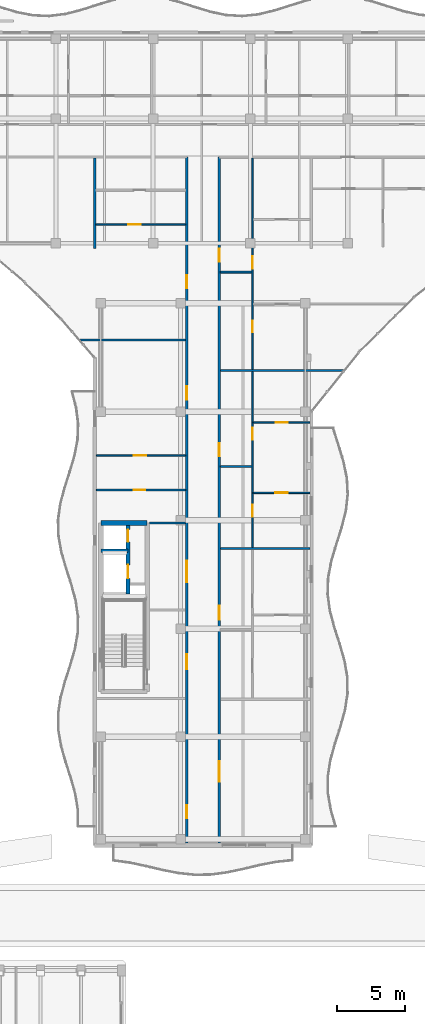
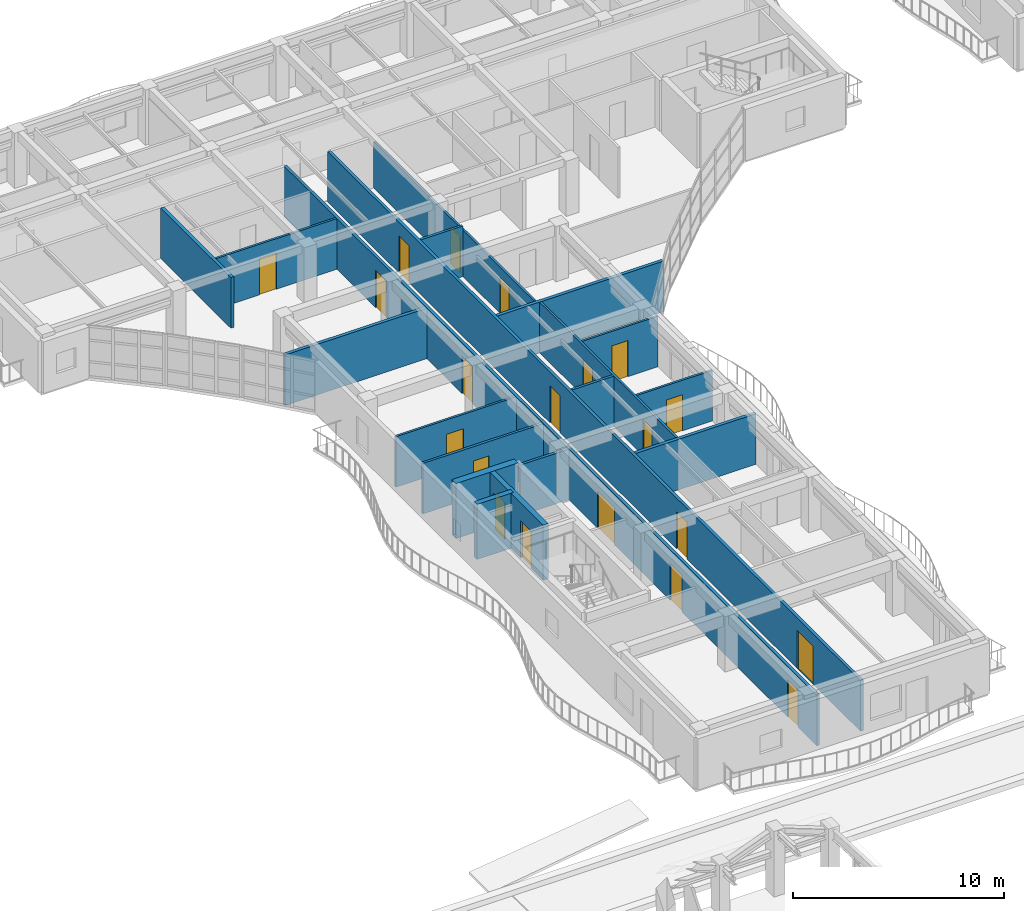
# One storey, part 92 of 128: 20 doors, 19 walls, 20 openings.
"""IFC4 building model written with IfcOpenShell, lengths in metres."""

from ifc_helpers import new_model, si_unit, direction, frame, frame_2d, origin, place, context, subcontext, project, spatial, rectangle, extrude, material, layer, layer_set, type_object, element, fill, save


model = new_model("IFC4")

# Units and contexts
model_context = context("Model", 3, precision=1e-05, world=origin(), true_north=direction((0.0, 1.0)))
body_context = subcontext(model_context, "Body", "Model", "MODEL_VIEW")
ifc_project = project(units=[si_unit("LENGTHUNIT", "METRE"), si_unit("AREAUNIT", "SQUARE_METRE"), si_unit("VOLUMEUNIT", "CUBIC_METRE"), si_unit("PLANEANGLEUNIT", "RADIAN"), si_unit("MASSUNIT", "GRAM", prefix="KILO")], contexts=[model_context])

# Site, building, storey
site_placement = place(None, origin())
site = spatial("IfcSite", under=ifc_project, at=site_placement, CompositionType="ELEMENT")
building_placement = place(site_placement, origin())
building = spatial("IfcBuilding", under=site, at=building_placement, Name="Keldmere Railside Commons", CompositionType="ELEMENT")
storey_placement = place(building_placement, frame((0.0, 0.0, 4.159912109375)))
storey = spatial("IfcBuildingStorey", under=building, at=storey_placement, Name="L01", CompositionType="ELEMENT", Elevation=4.159912109375)

# Walls
ifc_material_1 = material(Name="Acoustic Gypsum Board Partition", Category="gypsum")
ifc_layer_1 = layer(ifc_material_1, 0.179931640625, Name="Acoustic Demising Partition 180")
ifc_layer_set_1 = layer_set([ifc_layer_1], Name="Acoustic Gypsum Board Partition")
wall_type_1 = type_object("IfcWallType", Name="Acoustic Demising Partition 180", PredefinedType="PARTITIONING", material=ifc_layer_set_1)
wall_1_placement = place(storey_placement, frame((104.0, 100.050048828125, 0.0), z_axis=(0.0, 0.0, 1.0), x_axis=(0.0, 1.0, 0.0)))
element("IfcWall", 1, at=wall_1_placement, inside=storey, type_object=wall_type_1, Name="IW-1 IW-L01-0926", PredefinedType="PARTITIONING", context=body_context, shape_type="SweptSolid", body=[
    extrude(rectangle(XDim=6.669921875, YDim=0.179931640625, at=frame_2d((3.3349609375, 0.0))), origin(), (0.0, 0.0, 1.0), 2.93505859375),
])
wall_2_placement = place(storey_placement, frame((113.280029296875, 77.909912109375, 0.0), z_axis=(0.0, 0.0, 1.0), x_axis=(1.0, 0.0, 0.0)))
element("IfcWall", 2, at=wall_2_placement, inside=storey, type_object=wall_type_1, Name="IW-1 IW-L01-0930", PredefinedType="PARTITIONING", context=body_context, shape_type="SweptSolid", body=[
    extrude(rectangle(XDim=6.599853515625, YDim=0.179931640625, at=frame_2d((3.2998046875, 0.0))), origin(), (0.0, 0.0, 1.0), 2.93505859375),
])
wall_3_placement = place(storey_placement, frame((113.280029296875, 91.050048828125, 0.0), z_axis=(0.0, 0.0, 1.0), x_axis=(1.0, 0.0, 0.0)))
element("IfcWall", 3, at=wall_3_placement, inside=storey, type_object=wall_type_1, Name="IW-1 IW-L01-0931", PredefinedType="PARTITIONING", context=body_context, shape_type="SweptSolid", body=[
    extrude(rectangle(XDim=9.115478515625, YDim=0.179931640625, at=frame_2d((4.5576171875, 0.0))), origin(), (0.0, 0.0, 1.0), 2.93505859375),
])
wall_4_placement = place(storey_placement, frame((102.929443359375, 93.300048828125, 0.0), z_axis=(0.0, 0.0, 1.0), x_axis=(1.0, 0.0, 0.0)))
element("IfcWall", 4, at=wall_4_placement, inside=storey, type_object=wall_type_1, Name="IW-1 IW-L01-0957", PredefinedType="PARTITIONING", context=body_context, shape_type="SweptSolid", body=[
    extrude(rectangle(XDim=7.79052734375, YDim=0.179931640625, at=frame_2d((3.895263671875, 0.0))), origin(), (0.0, 0.0, 1.0), 2.93505859375),
])

# Wall, openings, doors
ifc_layer_2 = layer(ifc_material_1, 0.1201171875, Name="Apartment Interior Partition 120")
ifc_layer_set_2 = layer_set([ifc_layer_2], Name="Acoustic Gypsum Board Partition")
wall_type_2 = type_object("IfcWallType", Name="Apartment Interior Partition 120", PredefinedType="PARTITIONING", material=ifc_layer_set_2)
wall_5_placement = place(storey_placement, frame((115.659912109375, 78.0, 0.0), z_axis=(0.0, 0.0, 1.0), x_axis=(0.0, 1.0, 0.0)))
wall_5 = element("IfcWall", 5, at=wall_5_placement, inside=storey, type_object=wall_type_2, Name="IW-4 IW-L01-0935", PredefinedType="PARTITIONING", context=body_context, shape_type="SweptSolid", body=[
    extrude(rectangle(XDim=12.9599609375, YDim=0.1201171875, at=frame_2d((6.47998046875, 0.0))), origin(), (0.0, 0.0, 1.0), 2.93505859375),
])
opening_1_placement = place(wall_5_placement, frame((2.264892578125, 0.0, 0.0)))
opening_1 = element("IfcOpeningElement", 6, at=opening_1_placement, cuts=wall_5, Name="Opening ID-04", PredefinedType="OPENING", context=body_context, shape_type="SweptSolid", body=[
    extrude(rectangle(XDim=0.860107421875, YDim=2.10009765625, at=frame_2d((0.43017578125, 1.050048828125))), frame((0.0, 0.070068359375, 0.0), z_axis=(0.0, -1.0, 0.0), x_axis=(1.0, 0.0, 0.0)), (0.0, 0.0, 1.0), 0.14013671875),
])
opening_2_placement = place(wall_5_placement, frame((7.919921875, 0.0, 0.0)))
opening_2 = element("IfcOpeningElement", 7, at=opening_2_placement, cuts=wall_5, Name="Opening ID-03", PredefinedType="OPENING", context=body_context, shape_type="SweptSolid", body=[
    extrude(rectangle(XDim=0.919921875, YDim=2.10009765625, at=frame_2d((0.4599609375, 1.050048828125))), frame((0.0, 0.070068359375, 0.0), z_axis=(0.0, -1.0, 0.0), x_axis=(1.0, 0.0, 0.0)), (0.0, 0.0, 1.0), 0.14013671875),
])
ifc_material_2 = material(Name="Engineered Oak Timber", Category="wood")
door_type_1 = type_object("IfcDoorType", Name="Apartment Bathroom Door 860x2100", OperationType="NOTDEFINED", PredefinedType="DOOR", material=ifc_material_2)
door_1_placement = place(opening_1_placement, origin())
door_1 = element("IfcDoor", 8, at=door_1_placement, inside=storey, type_object=door_type_1, Name="ID-04 IDR-L01-0804", OperationType="SINGLE_SWING_RIGHT", OverallHeight=2.10009765625, OverallWidth=0.860107421875, PredefinedType="DOOR", context=body_context, shape_type="SweptSolid", body=[
    extrude(rectangle(XDim=0.860107421875, YDim=2.10009765625, at=frame_2d((0.43017578125, 1.050048828125))), frame((0.0, 0.02490234375, 0.0), z_axis=(0.0, -1.0, 0.0), x_axis=(1.0, 0.0, 0.0)), (0.0, 0.0, 1.0), 0.050048828125),
])
fill(opening_1, door_1)
door_type_2 = type_object("IfcDoorType", Name="Kitchen Pocket-Frame Swing Door 920x2100", OperationType="NOTDEFINED", PredefinedType="DOOR", material=ifc_material_2)
door_2_placement = place(opening_2_placement, origin())
door_2 = element("IfcDoor", 9, at=door_2_placement, inside=storey, type_object=door_type_2, Name="ID-03 IDR-L01-0805", OperationType="SINGLE_SWING_LEFT", OverallHeight=2.10009765625, OverallWidth=0.919921875, PredefinedType="DOOR", context=body_context, shape_type="SweptSolid", body=[
    extrude(rectangle(XDim=0.919921875, YDim=2.10009765625, at=frame_2d((0.4599609375, 1.050048828125))), frame((0.0, 0.02490234375, 0.0), z_axis=(0.0, -1.0, 0.0), x_axis=(1.0, 0.0, 0.0)), (0.0, 0.0, 1.0), 0.050048828125),
])
fill(opening_2, door_2)

# Wall, opening, door
wall_6_placement = place(storey_placement, frame((115.719970703125, 82.02001953125, 0.0), z_axis=(0.0, 0.0, 1.0), x_axis=(1.0, 0.0, 0.0)))
wall_6 = element("IfcWall", 10, at=wall_6_placement, inside=storey, type_object=wall_type_2, Name="IW-4 IW-L01-0937", PredefinedType="PARTITIONING", context=body_context, shape_type="SweptSolid", body=[
    extrude(rectangle(XDim=4.159912109375, YDim=0.1201171875, at=frame_2d((2.080078125, 0.0))), origin(), (0.0, 0.0, 1.0), 2.93505859375),
])
opening_3_placement = place(wall_6_placement, frame((1.6298828125, 0.0, 0.0)))
opening_3 = element("IfcOpeningElement", 11, at=opening_3_placement, cuts=wall_6, Name="Opening ID-01", PredefinedType="OPENING", context=body_context, shape_type="SweptSolid", body=[
    extrude(rectangle(XDim=0.89990234375, YDim=2.10009765625, at=frame_2d((0.449951171875, 1.050048828125))), frame((0.0, 0.070068359375, 0.0), z_axis=(0.0, -1.0, 0.0), x_axis=(1.0, 0.0, 0.0)), (0.0, 0.0, 1.0), 0.14013671875),
])
door_type_3 = type_object("IfcDoorType", Name="Primary Bedroom Door 900x2100", OperationType="NOTDEFINED", PredefinedType="DOOR", material=ifc_material_2)
door_3_placement = place(opening_3_placement, origin())
door_3 = element("IfcDoor", 12, at=door_3_placement, inside=storey, type_object=door_type_3, Name="ID-01 IDR-L01-0807", OperationType="SINGLE_SWING_LEFT", OverallHeight=2.10009765625, OverallWidth=0.89990234375, PredefinedType="DOOR", context=body_context, shape_type="SweptSolid", body=[
    extrude(rectangle(XDim=0.89990234375, YDim=2.10009765625, at=frame_2d((0.449951171875, 1.050048828125))), frame((0.0, 0.02490234375, 0.0), z_axis=(0.0, -1.0, 0.0), x_axis=(1.0, 0.0, 0.0)), (0.0, 0.0, 1.0), 0.050048828125),
])
fill(opening_3, door_3)

wall_7_placement = place(storey_placement, frame((115.719970703125, 87.199951171875, 0.0), z_axis=(0.0, 0.0, 1.0), x_axis=(1.0, 0.0, 0.0)))
wall_7 = element("IfcWall", 13, at=wall_7_placement, inside=storey, type_object=wall_type_2, Name="IW-4 IW-L01-0938", PredefinedType="PARTITIONING", context=body_context, shape_type="SweptSolid", body=[
    extrude(rectangle(XDim=4.159912109375, YDim=0.1201171875, at=frame_2d((2.080078125, 0.0))), origin(), (0.0, 0.0, 1.0), 2.93505859375),
])
opening_4_placement = place(wall_7_placement, frame((1.639892578125, 0.0, 0.0)))
opening_4 = element("IfcOpeningElement", 14, at=opening_4_placement, cuts=wall_7, Name="Opening ID-02", PredefinedType="OPENING", context=body_context, shape_type="SweptSolid", body=[
    extrude(rectangle(XDim=0.8798828125, YDim=2.10009765625, at=frame_2d((0.43994140625, 1.050048828125))), frame((0.0, 0.070068359375, 0.0), z_axis=(0.0, -1.0, 0.0), x_axis=(1.0, 0.0, 0.0)), (0.0, 0.0, 1.0), 0.14013671875),
])
door_type_4 = type_object("IfcDoorType", Name="Secondary Bedroom Door 880x2100", OperationType="NOTDEFINED", PredefinedType="DOOR", material=ifc_material_2)
door_4_placement = place(opening_4_placement, origin())
door_4 = element("IfcDoor", 15, at=door_4_placement, inside=storey, type_object=door_type_4, Name="ID-02 IDR-L01-0808", OperationType="SINGLE_SWING_RIGHT", OverallHeight=2.10009765625, OverallWidth=0.8798828125, PredefinedType="DOOR", context=body_context, shape_type="SweptSolid", body=[
    extrude(rectangle(XDim=0.8798828125, YDim=2.10009765625, at=frame_2d((0.43994140625, 1.050048828125))), frame((0.0, 0.02490234375, 0.0), z_axis=(0.0, -1.0, 0.0), x_axis=(1.0, 0.0, 0.0)), (0.0, 0.0, 1.0), 0.050048828125),
])
fill(opening_4, door_4)

# Wall, openings, doors
wall_8_placement = place(storey_placement, frame((115.659912109375, 91.139892578125, 0.0), z_axis=(0.0, 0.0, 1.0), x_axis=(0.0, 1.0, 0.0)))
wall_8 = element("IfcWall", 16, at=wall_8_placement, inside=storey, type_object=wall_type_2, Name="IW-4 IW-L01-0939", PredefinedType="PARTITIONING", context=body_context, shape_type="SweptSolid", body=[
    extrude(rectangle(XDim=15.580078125, YDim=0.1201171875, at=frame_2d((7.7900390625, 0.0))), origin(), (0.0, 0.0, 1.0), 2.68017578125),
])
opening_5_placement = place(wall_8_placement, frame((2.724609375, 0.0, 0.0)))
opening_5 = element("IfcOpeningElement", 17, at=opening_5_placement, cuts=wall_8, Name="Opening ID-04", PredefinedType="OPENING", context=body_context, shape_type="SweptSolid", body=[
    extrude(rectangle(XDim=0.860107421875, YDim=2.10009765625, at=frame_2d((0.43017578125, 1.050048828125))), frame((0.0, 0.070068359375, 0.0), z_axis=(0.0, -1.0, 0.0), x_axis=(1.0, 0.0, 0.0)), (0.0, 0.0, 1.0), 0.14013671875),
])
opening_6_placement = place(wall_8_placement, frame((7.4248046875, 0.0, 0.0)))
opening_6 = element("IfcOpeningElement", 18, at=opening_6_placement, cuts=wall_8, Name="Opening ID-03", PredefinedType="OPENING", context=body_context, shape_type="SweptSolid", body=[
    extrude(rectangle(XDim=0.919921875, YDim=2.10009765625, at=frame_2d((0.4599609375, 1.050048828125))), frame((0.0, 0.070068359375, 0.0), z_axis=(0.0, -1.0, 0.0), x_axis=(1.0, 0.0, 0.0)), (0.0, 0.0, 1.0), 0.14013671875),
])
door_5_placement = place(opening_5_placement, origin())
door_5 = element("IfcDoor", 19, at=door_5_placement, inside=storey, type_object=door_type_1, Name="ID-04 IDR-L01-0809", OperationType="SINGLE_SWING_LEFT", OverallHeight=2.10009765625, OverallWidth=0.860107421875, PredefinedType="DOOR", context=body_context, shape_type="SweptSolid", body=[
    extrude(rectangle(XDim=0.860107421875, YDim=2.10009765625, at=frame_2d((0.43017578125, 1.050048828125))), frame((0.0, 0.02490234375, 0.0), z_axis=(0.0, -1.0, 0.0), x_axis=(1.0, 0.0, 0.0)), (0.0, 0.0, 1.0), 0.050048828125),
])
fill(opening_5, door_5)
door_6_placement = place(opening_6_placement, origin())
door_6 = element("IfcDoor", 20, at=door_6_placement, inside=storey, type_object=door_type_2, Name="ID-03 IDR-L01-0810", OperationType="SINGLE_SWING_RIGHT", OverallHeight=2.10009765625, OverallWidth=0.919921875, PredefinedType="DOOR", context=body_context, shape_type="SweptSolid", body=[
    extrude(rectangle(XDim=0.919921875, YDim=2.10009765625, at=frame_2d((0.4599609375, 1.050048828125))), frame((0.0, 0.02490234375, 0.0), z_axis=(0.0, -1.0, 0.0), x_axis=(1.0, 0.0, 0.0)), (0.0, 0.0, 1.0), 0.050048828125),
])
fill(opening_6, door_6)

# Wall, opening, door
wall_9_placement = place(storey_placement, frame((104.1201171875, 84.780029296875, 0.0), z_axis=(0.0, 0.0, 1.0), x_axis=(1.0, 0.0, 0.0)))
wall_9 = element("IfcWall", 21, at=wall_9_placement, inside=storey, type_object=wall_type_2, Name="IW-4 IW-L01-0959", PredefinedType="PARTITIONING", context=body_context, shape_type="SweptSolid", body=[
    extrude(rectangle(XDim=6.599853515625, YDim=0.1201171875, at=frame_2d((3.2998046875, 0.0))), origin(), (0.0, 0.0, 1.0), 2.93505859375),
])
opening_7_placement = place(wall_9_placement, frame((2.77197265625, 0.0, 0.0)))
opening_7 = element("IfcOpeningElement", 22, at=opening_7_placement, cuts=wall_9, Name="Opening ID-03", PredefinedType="OPENING", context=body_context, shape_type="SweptSolid", body=[
    extrude(rectangle(XDim=0.919921875, YDim=2.10009765625, at=frame_2d((0.4599609375, 1.050048828125))), frame((0.0, 0.070068359375, 0.0), z_axis=(0.0, -1.0, 0.0), x_axis=(1.0, 0.0, 0.0)), (0.0, 0.0, 1.0), 0.14013671875),
])
door_7_placement = place(opening_7_placement, origin())
door_7 = element("IfcDoor", 23, at=door_7_placement, inside=storey, type_object=door_type_2, Name="ID-03 IDR-L01-0835", OperationType="SINGLE_SWING_LEFT", OverallHeight=2.10009765625, OverallWidth=0.919921875, PredefinedType="DOOR", context=body_context, shape_type="SweptSolid", body=[
    extrude(rectangle(XDim=0.919921875, YDim=2.10009765625, at=frame_2d((0.4599609375, 1.050048828125))), frame((0.0, 0.02490234375, 0.0), z_axis=(0.0, -1.0, 0.0), x_axis=(1.0, 0.0, 0.0)), (0.0, 0.0, 1.0), 0.050048828125),
])
fill(opening_7, door_7)

wall_10_placement = place(storey_placement, frame((104.090087890625, 101.820068359375, 0.0), z_axis=(0.0, 0.0, 1.0), x_axis=(1.0, 0.0, 0.0)))
wall_10 = element("IfcWall", 24, at=wall_10_placement, inside=storey, type_object=wall_type_2, Name="IW-4 IW-L01-0960", PredefinedType="PARTITIONING", context=body_context, shape_type="SweptSolid", body=[
    extrude(rectangle(XDim=6.6298828125, YDim=0.1201171875, at=frame_2d((3.31494140625, 0.0))), origin(), (0.0, 0.0, 1.0), 2.93505859375),
])
opening_8_placement = place(wall_10_placement, frame((2.384521484375, 0.0, 0.0)))
opening_8 = element("IfcOpeningElement", 25, at=opening_8_placement, cuts=wall_10, Name="Opening ID-03", PredefinedType="OPENING", context=body_context, shape_type="SweptSolid", body=[
    extrude(rectangle(XDim=0.919921875, YDim=2.10009765625, at=frame_2d((0.4599609375, 1.050048828125))), frame((0.0, 0.070068359375, 0.0), z_axis=(0.0, -1.0, 0.0), x_axis=(1.0, 0.0, 0.0)), (0.0, 0.0, 1.0), 0.14013671875),
])
door_8_placement = place(opening_8_placement, origin())
door_8 = element("IfcDoor", 26, at=door_8_placement, inside=storey, type_object=door_type_2, Name="ID-03 IDR-L01-0838", OperationType="SINGLE_SWING_RIGHT", OverallHeight=2.10009765625, OverallWidth=0.919921875, PredefinedType="DOOR", context=body_context, shape_type="SweptSolid", body=[
    extrude(rectangle(XDim=0.919921875, YDim=2.10009765625, at=frame_2d((0.4599609375, 1.050048828125))), frame((0.0, 0.02490234375, 0.0), z_axis=(0.0, -1.0, 0.0), x_axis=(1.0, 0.0, 0.0)), (0.0, 0.0, 1.0), 0.050048828125),
])
fill(opening_8, door_8)

# Wall
ifc_material_3 = material(Name="Concrete H-35 (C35/45)", Category="concrete")
ifc_layer_3 = layer(ifc_material_3, 0.280029296875, Name="Core Shear Wall 280")
ifc_layer_set_3 = layer_set([ifc_layer_3], Name="Concrete H-35 (C35/45)")
wall_type_3 = type_object("IfcWallType", Name="Core Shear Wall 280", PredefinedType="SHEAR", material=ifc_layer_set_3)
wall_11_placement = place(storey_placement, frame((104.4599609375, 77.75, 0.0), z_axis=(0.0, 0.0, 1.0), x_axis=(1.0, 0.0, 0.0)))
element("IfcWall", 27, at=wall_11_placement, inside=storey, type_object=wall_type_3, Name="CSW-2 COREBL-L01-0449", PredefinedType="SHEAR", context=body_context, shape_type="SweptSolid", body=[
    extrude(rectangle(XDim=2.0, YDim=0.280029296875, at=frame_2d((1.0, 0.0))), origin(), (0.0, 0.0, 1.0), 3.2001953125),
])

# Wall, openings, doors
wall_12_placement = place(storey_placement, frame((106.4599609375, 74.550048828125, 0.0), z_axis=(0.0, 0.0, 1.0), x_axis=(0.0, 1.0, 0.0)))
wall_12 = element("IfcWall", 28, at=wall_12_placement, inside=storey, type_object=wall_type_3, Name="CSW-2 LSHB-L01-0450", PredefinedType="SHEAR", context=body_context, shape_type="SweptSolid", body=[
    extrude(rectangle(XDim=5.25, YDim=0.280029296875, at=frame_2d((2.625, 0.0))), origin(), (0.0, 0.0, 1.0), 3.2001953125),
])
opening_9_placement = place(wall_12_placement, frame((1.14990234375, 0.0, 0.0)))
opening_9 = element("IfcOpeningElement", 29, at=opening_9_placement, cuts=wall_12, Name="Opening LD-1", PredefinedType="OPENING", context=body_context, shape_type="SweptSolid", body=[
    extrude(rectangle(XDim=1.0, YDim=2.14990234375, at=frame_2d((0.5, 1.074951171875))), frame((0.0, 0.14990234375, 0.0), z_axis=(0.0, -1.0, 0.0), x_axis=(1.0, 0.0, 0.0)), (0.0, 0.0, 1.0), 0.300048828125),
])
opening_10_placement = place(wall_12_placement, frame((3.85009765625, 0.0, 0.0)))
opening_10 = element("IfcOpeningElement", 30, at=opening_10_placement, cuts=wall_12, Name="Opening LD-2", PredefinedType="OPENING", context=body_context, shape_type="SweptSolid", body=[
    extrude(rectangle(XDim=0.89990234375, YDim=2.14990234375, at=frame_2d((0.449951171875, 1.074951171875))), frame((0.0, 0.14990234375, 0.0), z_axis=(0.0, -1.0, 0.0), x_axis=(1.0, 0.0, 0.0)), (0.0, 0.0, 1.0), 0.300048828125),
])
ifc_material_4 = material(Name="Steel F-24 (S235)", Category="steel")
door_type_5 = type_object("IfcDoorType", Name="Firefighting Stretcher Lift Landing Door 1000x2150", OperationType="SLIDING_TO_LEFT", PredefinedType="DOOR", material=ifc_material_4)
door_9_placement = place(opening_9_placement, origin())
door_9 = element("IfcDoor", 31, at=door_9_placement, inside=storey, type_object=door_type_5, Name="LD-1 B L01", OperationType="SLIDING_TO_LEFT", OverallHeight=2.14990234375, OverallWidth=1.0, PredefinedType="DOOR", context=body_context, shape_type="SweptSolid", body=[
    extrude(rectangle(XDim=1.0, YDim=2.14990234375, at=frame_2d((0.5, 1.074951171875))), frame((0.0, 0.02490234375, 0.0), z_axis=(0.0, -1.0, 0.0), x_axis=(1.0, 0.0, 0.0)), (0.0, 0.0, 1.0), 0.050048828125),
])
fill(opening_9, door_9)
door_type_6 = type_object("IfcDoorType", Name="Passenger Lift Sliding Landing Door 900x2150", OperationType="SLIDING_TO_RIGHT", PredefinedType="DOOR", material=ifc_material_4)
door_10_placement = place(opening_10_placement, origin())
door_10 = element("IfcDoor", 32, at=door_10_placement, inside=storey, type_object=door_type_6, Name="LD-2 B L01", OperationType="SLIDING_TO_RIGHT", OverallHeight=2.14990234375, OverallWidth=0.89990234375, PredefinedType="DOOR", context=body_context, shape_type="SweptSolid", body=[
    extrude(rectangle(XDim=0.89990234375, YDim=2.14990234375, at=frame_2d((0.449951171875, 1.074951171875))), frame((0.0, 0.02490234375, 0.0), z_axis=(0.0, -1.0, 0.0), x_axis=(1.0, 0.0, 0.0)), (0.0, 0.0, 1.0), 0.050048828125),
])
fill(opening_10, door_10)

# Wall
ifc_material_5 = material(Name="Concrete H-40 (C40/50)", Category="concrete")
ifc_layer_4 = layer(ifc_material_5, 0.3798828125, Name="Core Shear Wall 380")
ifc_layer_set_4 = layer_set([ifc_layer_4], Name="Concrete H-40 (C40/50)")
wall_type_4 = type_object("IfcWallType", Name="Core Shear Wall 380", PredefinedType="SHEAR", material=ifc_layer_set_4)
wall_13_placement = place(storey_placement, frame((104.4599609375, 79.800048828125, 0.0), z_axis=(0.0, 0.0, 1.0), x_axis=(1.0, 0.0, 0.0)))
element("IfcWall", 33, at=wall_13_placement, inside=storey, type_object=wall_type_4, Name="CW-CORE COREBN-L01-0445", PredefinedType="SHEAR", context=body_context, shape_type="SweptSolid", body=[
    extrude(rectangle(XDim=3.41015625, YDim=0.3798828125, at=frame_2d((1.705078125, 0.0))), origin(), (0.0, 0.0, 1.0), 3.2001953125),
])

# Wall, openings, doors
ifc_layer_5 = layer(ifc_material_1, 0.159912109375, Name="Corridor Fire Partition 160")
ifc_layer_set_5 = layer_set([ifc_layer_5], Name="Acoustic Gypsum Board Partition")
wall_type_5 = type_object("IfcWallType", Name="Corridor Fire Partition 160", PredefinedType="PARTITIONING", material=ifc_layer_set_5)
wall_14_placement = place(storey_placement, frame((110.800048828125, 56.179931640625, 0.0), z_axis=(0.0, 0.0, 1.0), x_axis=(0.0, 1.0, 0.0)))
wall_14 = element("IfcWall", 34, at=wall_14_placement, inside=storey, type_object=wall_type_5, Name="IW-2 IW-L01-0920", PredefinedType="PARTITIONING", context=body_context, shape_type="SweptSolid", body=[
    extrude(rectangle(XDim=50.6201171875, YDim=0.159912109375, at=frame_2d((25.31005859375, 0.0))), origin(), (0.0, 0.0, 1.0), 2.93505859375),
])
opening_11_placement = place(wall_14_placement, frame((12.820068359375, 0.0, 0.0)))
opening_11 = element("IfcOpeningElement", 35, at=opening_11_placement, cuts=wall_14, Name="Opening FD-2", PredefinedType="OPENING", context=body_context, shape_type="SweptSolid", body=[
    extrude(rectangle(XDim=1.10009765625, YDim=2.14990234375, at=frame_2d((0.550048828125, 1.074951171875))), frame((0.0, 0.08984375, 0.0), z_axis=(0.0, -1.0, 0.0), x_axis=(1.0, 0.0, 0.0)), (0.0, 0.0, 1.0), 0.179931640625),
])
opening_12_placement = place(wall_14_placement, frame((19.219970703125, 0.0, 0.0)))
opening_12 = element("IfcOpeningElement", 36, at=opening_12_placement, cuts=wall_14, Name="Opening FD-4", PredefinedType="OPENING", context=body_context, shape_type="SweptSolid", body=[
    extrude(rectangle(XDim=1.60009765625, YDim=2.14990234375, at=frame_2d((0.800048828125, 1.074951171875))), frame((0.0, 0.08984375, 0.0), z_axis=(0.0, -1.0, 0.0), x_axis=(1.0, 0.0, 0.0)), (0.0, 0.0, 1.0), 0.179931640625),
])
opening_13_placement = place(wall_14_placement, frame((1.800048828125, 0.0, 0.0)))
opening_13 = element("IfcOpeningElement", 37, at=opening_13_placement, cuts=wall_14, Name="Opening ID-08", PredefinedType="OPENING", context=body_context, shape_type="SweptSolid", body=[
    extrude(rectangle(XDim=0.9599609375, YDim=2.14990234375, at=frame_2d((0.47998046875, 1.074951171875))), frame((0.0, 0.08984375, 0.0), z_axis=(0.0, -1.0, 0.0), x_axis=(1.0, 0.0, 0.0)), (0.0, 0.0, 1.0), 0.179931640625),
])
opening_14_placement = place(wall_14_placement, frame((32.72509765625, 0.0, 0.0)))
opening_14 = element("IfcOpeningElement", 38, at=opening_14_placement, cuts=wall_14, Name="Opening FD-7", PredefinedType="OPENING", context=body_context, shape_type="SweptSolid", body=[
    extrude(rectangle(XDim=0.97998046875, YDim=2.14990234375, at=frame_2d((0.489990234375, 1.074951171875))), frame((0.0, 0.08984375, 0.0), z_axis=(0.0, -1.0, 0.0), x_axis=(1.0, 0.0, 0.0)), (0.0, 0.0, 1.0), 0.179931640625),
])
opening_15_placement = place(wall_14_placement, frame((40.93505859375, 0.0, 0.0)))
opening_15 = element("IfcOpeningElement", 39, at=opening_15_placement, cuts=wall_14, Name="Opening FD-7", PredefinedType="OPENING", context=body_context, shape_type="SweptSolid", body=[
    extrude(rectangle(XDim=0.97998046875, YDim=2.14990234375, at=frame_2d((0.489990234375, 1.074951171875))), frame((0.0, 0.08984375, 0.0), z_axis=(0.0, -1.0, 0.0), x_axis=(1.0, 0.0, 0.0)), (0.0, 0.0, 1.0), 0.179931640625),
])
door_type_7 = type_object("IfcDoorType", Name="Apartment Entrance Acoustic Fire Door 980x2150", OperationType="NOTDEFINED", PredefinedType="DOOR", material=ifc_material_2)
door_11_placement = place(opening_14_placement, origin())
door_11 = element("IfcDoor", 40, at=door_11_placement, inside=storey, type_object=door_type_7, Name="FD-7 IDR-L01-0836", OperationType="SINGLE_SWING_RIGHT", OverallHeight=2.14990234375, OverallWidth=0.97998046875, PredefinedType="DOOR", context=body_context, shape_type="SweptSolid", body=[
    extrude(rectangle(XDim=0.97998046875, YDim=2.14990234375, at=frame_2d((0.489990234375, 1.074951171875))), frame((0.0, 0.02490234375, 0.0), z_axis=(0.0, -1.0, 0.0), x_axis=(1.0, 0.0, 0.0)), (0.0, 0.0, 1.0), 0.050048828125),
])
fill(opening_14, door_11)
door_12_placement = place(opening_15_placement, origin())
door_12 = element("IfcDoor", 41, at=door_12_placement, inside=storey, type_object=door_type_7, Name="FD-7 IDR-L01-0839", OperationType="SINGLE_SWING_LEFT", OverallHeight=2.14990234375, OverallWidth=0.97998046875, PredefinedType="DOOR", context=body_context, shape_type="SweptSolid", body=[
    extrude(rectangle(XDim=0.97998046875, YDim=2.14990234375, at=frame_2d((0.489990234375, 1.074951171875))), frame((0.0, 0.02490234375, 0.0), z_axis=(0.0, -1.0, 0.0), x_axis=(1.0, 0.0, 0.0)), (0.0, 0.0, 1.0), 0.050048828125),
])
fill(opening_15, door_12)
door_type_8 = type_object("IfcDoorType", Name="Corridor Cross-Compartment Double Fire Door 1600x2150", OperationType="DOUBLE_DOOR_SINGLE_SWING", PredefinedType="DOOR", material=ifc_material_4)
door_13_placement = place(opening_12_placement, origin())
door_13 = element("IfcDoor", 42, at=door_13_placement, inside=storey, type_object=door_type_8, Name="FD-4 IDR-L01-0798", OperationType="DOUBLE_DOOR_SINGLE_SWING", OverallHeight=2.14990234375, OverallWidth=1.60009765625, PredefinedType="DOOR", context=body_context, shape_type="SweptSolid", body=[
    extrude(rectangle(XDim=1.60009765625, YDim=2.14990234375, at=frame_2d((0.800048828125, 1.074951171875))), frame((0.0, 0.02490234375, 0.0), z_axis=(0.0, -1.0, 0.0), x_axis=(1.0, 0.0, 0.0)), (0.0, 0.0, 1.0), 0.050048828125),
])
fill(opening_12, door_13)
door_type_9 = type_object("IfcDoorType", Name="Firefighting Lobby Fire Door 1100x2150", OperationType="NOTDEFINED", PredefinedType="DOOR", material=ifc_material_4)
door_14_placement = place(opening_11_placement, origin())
door_14 = element("IfcDoor", 43, at=door_14_placement, inside=storey, type_object=door_type_9, Name="FD-2 IDR-L01-0797", OperationType="SINGLE_SWING_LEFT", OverallHeight=2.14990234375, OverallWidth=1.10009765625, PredefinedType="DOOR", context=body_context, shape_type="SweptSolid", body=[
    extrude(rectangle(XDim=1.10009765625, YDim=2.14990234375, at=frame_2d((0.550048828125, 1.074951171875))), frame((0.0, 0.02490234375, 0.0), z_axis=(0.0, -1.0, 0.0), x_axis=(1.0, 0.0, 0.0)), (0.0, 0.0, 1.0), 0.050048828125),
])
fill(opening_11, door_14)
door_type_10 = type_object("IfcDoorType", Name="Study & Meeting Room Door 960x2150", OperationType="NOTDEFINED", PredefinedType="DOOR", material=ifc_material_2)
door_15_placement = place(opening_13_placement, origin())
door_15 = element("IfcDoor", 44, at=door_15_placement, inside=storey, type_object=door_type_10, Name="ID-08 IDR-L01-0833", OperationType="SINGLE_SWING_LEFT", OverallHeight=2.14990234375, OverallWidth=0.9599609375, PredefinedType="DOOR", context=body_context, shape_type="SweptSolid", body=[
    extrude(rectangle(XDim=0.9599609375, YDim=2.14990234375, at=frame_2d((0.47998046875, 1.074951171875))), frame((0.0, 0.02490234375, 0.0), z_axis=(0.0, -1.0, 0.0), x_axis=(1.0, 0.0, 0.0)), (0.0, 0.0, 1.0), 0.050048828125),
])
fill(opening_13, door_15)

wall_15_placement = place(storey_placement, frame((113.199951171875, 56.179931640625, 0.0), z_axis=(0.0, 0.0, 1.0), x_axis=(0.0, 1.0, 0.0)))
wall_15 = element("IfcWall", 45, at=wall_15_placement, inside=storey, type_object=wall_type_5, Name="IW-2 IW-L01-0921", PredefinedType="PARTITIONING", context=body_context, shape_type="SweptSolid", body=[
    extrude(rectangle(XDim=50.6201171875, YDim=0.159912109375, at=frame_2d((25.31005859375, 0.0))), origin(), (0.0, 0.0, 1.0), 2.93505859375),
])
opening_16_placement = place(wall_15_placement, frame((4.510009765625, 0.0, 0.0)))
opening_16 = element("IfcOpeningElement", 46, at=opening_16_placement, cuts=wall_15, Name="Opening ID-07", PredefinedType="OPENING", context=body_context, shape_type="SweptSolid", body=[
    extrude(rectangle(XDim=1.5, YDim=2.199951171875, at=frame_2d((0.75, 1.10009765625))), frame((0.0, 0.08984375, 0.0), z_axis=(0.0, -1.0, 0.0), x_axis=(1.0, 0.0, 0.0)), (0.0, 0.0, 1.0), 0.179931640625),
])
opening_17_placement = place(wall_15_placement, frame((16.47998046875, 0.0, 0.0)))
opening_17 = element("IfcOpeningElement", 47, at=opening_17_placement, cuts=wall_15, Name="Opening FD-8", PredefinedType="OPENING", context=body_context, shape_type="SweptSolid", body=[
    extrude(rectangle(XDim=1.02001953125, YDim=2.14990234375, at=frame_2d((0.510009765625, 1.074951171875))), frame((0.0, 0.08984375, 0.0), z_axis=(0.0, -1.0, 0.0), x_axis=(1.0, 0.0, 0.0)), (0.0, 0.0, 1.0), 0.179931640625),
])
opening_18_placement = place(wall_15_placement, frame((28.530029296875, 0.0, 0.0)))
opening_18 = element("IfcOpeningElement", 48, at=opening_18_placement, cuts=wall_15, Name="Opening FD-7", PredefinedType="OPENING", context=body_context, shape_type="SweptSolid", body=[
    extrude(rectangle(XDim=0.97998046875, YDim=2.14990234375, at=frame_2d((0.489990234375, 1.074951171875))), frame((0.0, 0.08984375, 0.0), z_axis=(0.0, -1.0, 0.0), x_axis=(1.0, 0.0, 0.0)), (0.0, 0.0, 1.0), 0.179931640625),
])
opening_19_placement = place(wall_15_placement, frame((42.8798828125, 0.0, 0.0)))
opening_19 = element("IfcOpeningElement", 49, at=opening_19_placement, cuts=wall_15, Name="Opening FD-7", PredefinedType="OPENING", context=body_context, shape_type="SweptSolid", body=[
    extrude(rectangle(XDim=0.97998046875, YDim=2.14990234375, at=frame_2d((0.489990234375, 1.074951171875))), frame((0.0, 0.08984375, 0.0), z_axis=(0.0, -1.0, 0.0), x_axis=(1.0, 0.0, 0.0)), (0.0, 0.0, 1.0), 0.179931640625),
])
door_type_11 = type_object("IfcDoorType", Name="Adaptable Apartment Entrance Fire Door 1020x2150", OperationType="NOTDEFINED", PredefinedType="DOOR", material=ifc_material_2)
door_16_placement = place(opening_17_placement, origin())
door_16 = element("IfcDoor", 50, at=door_16_placement, inside=storey, type_object=door_type_11, Name="FD-8 IDR-L01-0802", OperationType="SINGLE_SWING_RIGHT", OverallHeight=2.14990234375, OverallWidth=1.02001953125, PredefinedType="DOOR", context=body_context, shape_type="SweptSolid", body=[
    extrude(rectangle(XDim=1.02001953125, YDim=2.14990234375, at=frame_2d((0.510009765625, 1.074951171875))), frame((0.0, 0.02490234375, 0.0), z_axis=(0.0, -1.0, 0.0), x_axis=(1.0, 0.0, 0.0)), (0.0, 0.0, 1.0), 0.050048828125),
])
fill(opening_17, door_16)
door_17_placement = place(opening_18_placement, origin())
door_17 = element("IfcDoor", 51, at=door_17_placement, inside=storey, type_object=door_type_7, Name="FD-7 IDR-L01-0806", OperationType="SINGLE_SWING_RIGHT", OverallHeight=2.14990234375, OverallWidth=0.97998046875, PredefinedType="DOOR", context=body_context, shape_type="SweptSolid", body=[
    extrude(rectangle(XDim=0.97998046875, YDim=2.14990234375, at=frame_2d((0.489990234375, 1.074951171875))), frame((0.0, 0.02490234375, 0.0), z_axis=(0.0, -1.0, 0.0), x_axis=(1.0, 0.0, 0.0)), (0.0, 0.0, 1.0), 0.050048828125),
])
fill(opening_18, door_17)
door_18_placement = place(opening_19_placement, origin())
door_18 = element("IfcDoor", 52, at=door_18_placement, inside=storey, type_object=door_type_7, Name="FD-7 IDR-L01-0811", OperationType="SINGLE_SWING_LEFT", OverallHeight=2.14990234375, OverallWidth=0.97998046875, PredefinedType="DOOR", context=body_context, shape_type="SweptSolid", body=[
    extrude(rectangle(XDim=0.97998046875, YDim=2.14990234375, at=frame_2d((0.489990234375, 1.074951171875))), frame((0.0, 0.02490234375, 0.0), z_axis=(0.0, -1.0, 0.0), x_axis=(1.0, 0.0, 0.0)), (0.0, 0.0, 1.0), 0.050048828125),
])
fill(opening_19, door_18)
door_type_12 = type_object("IfcDoorType", Name="Resident Lounge Double Door 1500x2200", OperationType="DOUBLE_DOOR_SINGLE_SWING", PredefinedType="DOOR", material=ifc_material_2)
door_19_placement = place(opening_16_placement, origin())
door_19 = element("IfcDoor", 53, at=door_19_placement, inside=storey, type_object=door_type_12, Name="ID-07 IDR-L01-0799", OperationType="DOUBLE_DOOR_SINGLE_SWING", OverallHeight=2.199951171875, OverallWidth=1.5, PredefinedType="DOOR", context=body_context, shape_type="SweptSolid", body=[
    extrude(rectangle(XDim=1.5, YDim=2.199951171875, at=frame_2d((0.75, 1.10009765625))), frame((0.0, 0.02490234375, 0.0), z_axis=(0.0, -1.0, 0.0), x_axis=(1.0, 0.0, 0.0)), (0.0, 0.0, 1.0), 0.050048828125),
])
fill(opening_16, door_19)

# Walls
ifc_layer_6 = layer(ifc_material_1, 0.14990234375, Name="Lobby Rated Partition 150")
ifc_layer_set_6 = layer_set([ifc_layer_6], Name="Acoustic Gypsum Board Partition")
wall_type_6 = type_object("IfcWallType", Name="Lobby Rated Partition 150", PredefinedType="PARTITIONING", material=ifc_layer_set_6)
wall_16_placement = place(storey_placement, frame((108.0400390625, 79.800048828125, 0.0), z_axis=(0.0, 0.0, 1.0), x_axis=(1.0, 0.0, 0.0)))
element("IfcWall", 54, at=wall_16_placement, inside=storey, type_object=wall_type_6, Name="IW-3 IW-L01-0919", PredefinedType="PARTITIONING", context=body_context, shape_type="SweptSolid", body=[
    extrude(rectangle(XDim=2.679931640625, YDim=0.14990234375, at=frame_2d((1.33984375, 0.0))), origin(), (0.0, 0.0, 1.0), 2.93505859375),
])
ifc_layer_7 = layer(ifc_material_1, 0.139892578125, Name="Wet-Room Sanitary Partition 140")
ifc_layer_set_7 = layer_set([ifc_layer_7], Name="Acoustic Gypsum Board Partition")
wall_type_7 = type_object("IfcWallType", Name="Wet-Room Sanitary Partition 140", PredefinedType="PARTITIONING", material=ifc_layer_set_7)
for number, where, z_axis, x_axis, name in (
    (55, (113.280029296875, 83.9599609375, 0.0), (0.0, 0.0, 1.0), (1.0, 0.0, 0.0), "IW-5 IW-L01-0936"),
    (56, (113.280029296875, 98.31005859375, 0.0), (0.0, 0.0, 1.0), (1.0, 0.0, 0.0), "IW-5 IW-L01-0940"),
):
    element("IfcWall", number, at=place(storey_placement, frame(where, z_axis=z_axis, x_axis=x_axis)), inside=storey, type_object=wall_type_7, Name=name, PredefinedType="PARTITIONING", context=body_context, shape_type="SweptSolid", body=[
        extrude(rectangle(XDim=2.320068359375, YDim=0.139892578125, at=frame_2d((1.16015625, 0.0))), origin(), (0.0, 0.0, 1.0), 2.93505859375),
    ])

# Wall, opening, door
wall_17_placement = place(storey_placement, frame((104.1201171875, 82.22998046875, 0.0), z_axis=(0.0, 0.0, 1.0), x_axis=(1.0, 0.0, 0.0)))
wall_17 = element("IfcWall", 57, at=wall_17_placement, inside=storey, type_object=wall_type_7, Name="IW-5 IW-L01-0958", PredefinedType="PARTITIONING", context=body_context, shape_type="SweptSolid", body=[
    extrude(rectangle(XDim=6.599853515625, YDim=0.139892578125, at=frame_2d((3.2998046875, 0.0))), origin(), (0.0, 0.0, 1.0), 2.93505859375),
])
opening_20_placement = place(wall_17_placement, frame((2.77197265625, 0.0, 0.0)))
opening_20 = element("IfcOpeningElement", 58, at=opening_20_placement, cuts=wall_17, Name="Opening ID-04", PredefinedType="OPENING", context=body_context, shape_type="SweptSolid", body=[
    extrude(rectangle(XDim=0.860107421875, YDim=2.10009765625, at=frame_2d((0.43017578125, 1.050048828125))), frame((0.0, 0.079833984375, 0.0), z_axis=(0.0, -1.0, 0.0), x_axis=(1.0, 0.0, 0.0)), (0.0, 0.0, 1.0), 0.159912109375),
])
door_20_placement = place(opening_20_placement, origin())
door_20 = element("IfcDoor", 59, at=door_20_placement, inside=storey, type_object=door_type_1, Name="ID-04 IDR-L01-0834", OperationType="SINGLE_SWING_RIGHT", OverallHeight=2.10009765625, OverallWidth=0.860107421875, PredefinedType="DOOR", context=body_context, shape_type="SweptSolid", body=[
    extrude(rectangle(XDim=0.860107421875, YDim=2.10009765625, at=frame_2d((0.43017578125, 1.050048828125))), frame((0.0, 0.02490234375, 0.0), z_axis=(0.0, -1.0, 0.0), x_axis=(1.0, 0.0, 0.0)), (0.0, 0.0, 1.0), 0.050048828125),
])
fill(opening_20, door_20)

save(model, "model.ifc")
